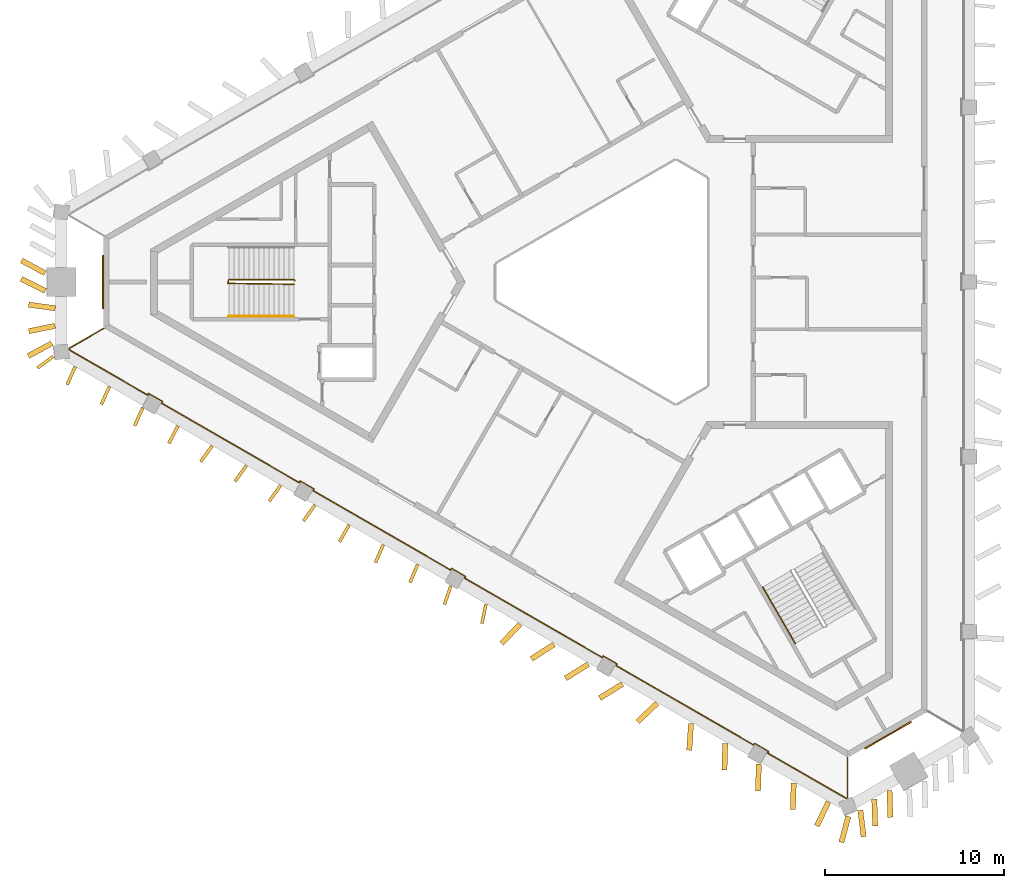
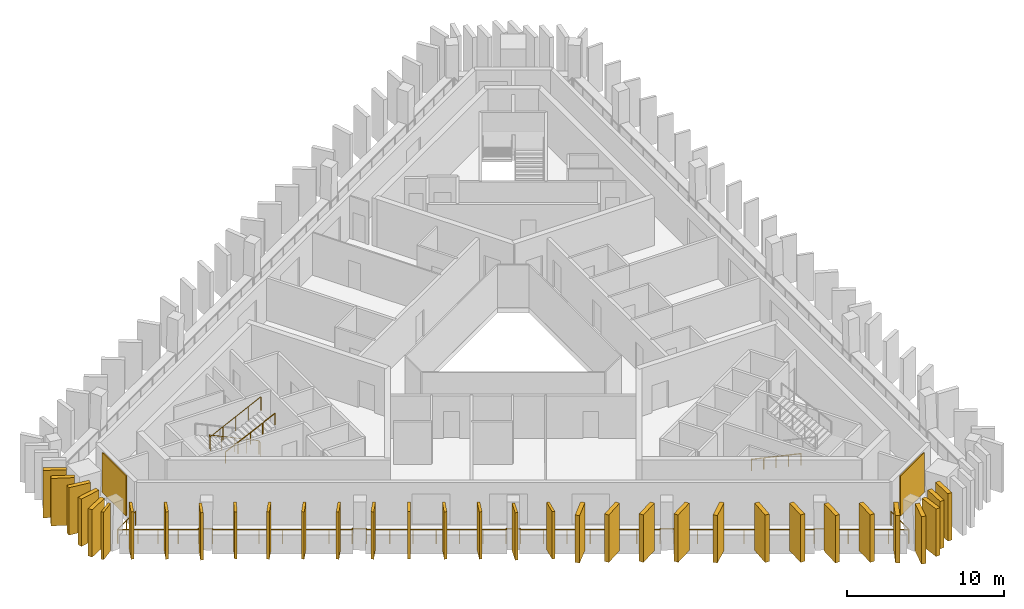
# One storey, part 7 of 9: 33 shading devices, 4 railings, 2 coverings.
"""IFC4 building model written with IfcOpenShell, lengths in metres."""

import ifcopenshell
import ifcopenshell.guid

model = None  # the IFC model being written
_history = None  # IfcOwnerHistory: only IFC2X3 demands one
_inside = {}  # id of a spatial element -> (the spatial element, [elements in it])
_under = {}  # id of a project, library or spatial element -> (it, [spatial elements below it])
_declared = {}  # id of a project -> (the project, [libraries it declares])
_typed = {}  # id of a type object -> (the type object, [elements of that type])
_made_of = {}  # id of a material, layer set ... -> (it, [elements and type objects made of it])


def new_model(schema):
    """Start an empty IFC model of exactly this schema.

    Asked for "IFC4X3", IfcOpenShell would pick the latest addendum, in which some entities
    have other attributes; the version numbers below select the first issue.
    IFC2X3 requires an IfcOwnerHistory on every rooted entity: one is made here for all.
    """
    global model, _history
    if schema == "IFC4X3":
        model = ifcopenshell.file(schema_version=(4, 3, 0, 0))
    else:
        model = ifcopenshell.file(schema=schema)
    _inside.clear()
    _under.clear()
    _declared.clear()
    _typed.clear()
    _made_of.clear()
    _history = None
    if model.schema == "IFC2X3":
        org = make("IfcOrganization", Name="unknown")
        user = make(
            "IfcPersonAndOrganization",
            ThePerson=make("IfcPerson", FamilyName="unknown"),
            TheOrganization=org,
        )
        app = make(
            "IfcApplication",
            ApplicationDeveloper=org,
            Version="unknown",
            ApplicationFullName="unknown",
            ApplicationIdentifier="unknown",
        )
        _history = make(
            "IfcOwnerHistory",
            OwningUser=user,
            OwningApplication=app,
            ChangeAction="ADDED",
            CreationDate=0,
        )
    return model


def make(cls, **values):
    """One entity of the class cls with the attributes given. An attribute that is None is left unset."""
    return model.create_entity(
        cls, **{name: value for name, value in values.items() if value is not None}
    )


def rooted(cls, **values):
    """An entity with a GlobalId (a new one), such as an element, a storey or a relation."""
    return make(cls, GlobalId=ifcopenshell.guid.new(), OwnerHistory=_history, **values)


def si_unit(unit_type, name, prefix=None):
    """IfcSIUnit, for example si_unit("LENGTHUNIT", "METRE", prefix="MILLI")."""
    return make("IfcSIUnit", UnitType=unit_type, Prefix=prefix, Name=name)


def assignment(units):
    """IfcUnitAssignment: the units of a project."""
    return None if units is None else make("IfcUnitAssignment", Units=units)


def point(xyz):
    """IfcCartesianPoint."""
    return None if xyz is None else make("IfcCartesianPoint", Coordinates=xyz)


def direction(xyz):
    """IfcDirection."""
    return None if xyz is None else make("IfcDirection", DirectionRatios=xyz)


def frame(location, z_axis=None, x_axis=None):
    """IfcAxis2Placement3D, a coordinate frame: its origin and axes. An axis left out is left unset."""
    return make(
        "IfcAxis2Placement3D",
        Location=point(location),
        Axis=direction(z_axis),
        RefDirection=direction(x_axis),
    )


def frame_2d(location, x_axis=None):
    """IfcAxis2Placement2D, a coordinate frame in the plane: its origin and x axis."""
    return make(
        "IfcAxis2Placement2D", Location=point(location), RefDirection=direction(x_axis)
    )


def origin():
    """The frame at (0, 0, 0) with its axes left unset."""
    return frame((0.0, 0.0, 0.0))


def origin_2d():
    """The frame at (0, 0) in the plane with its x axis left unset."""
    return frame_2d((0.0, 0.0))


def place(relative_to, where):
    """IfcLocalPlacement: puts the frame where relative to a parent placement (None: the world)."""
    return make(
        "IfcLocalPlacement", PlacementRelTo=relative_to, RelativePlacement=where
    )


def context(
    kind, dimensions, precision=None, world=None, true_north=None, identifier=None
):
    """IfcGeometricRepresentationContext, for example the 3D "Model" context."""
    return make(
        "IfcGeometricRepresentationContext",
        ContextIdentifier=identifier,
        ContextType=kind,
        CoordinateSpaceDimension=dimensions,
        Precision=precision,
        WorldCoordinateSystem=world,
        TrueNorth=true_north,
    )


def subcontext(parent, identifier, kind, view, scale=None):
    """IfcGeometricRepresentationSubContext, for example "Body" below "Model"."""
    return make(
        "IfcGeometricRepresentationSubContext",
        ContextIdentifier=identifier,
        ContextType=kind,
        ParentContext=parent,
        TargetScale=scale,
        TargetView=view,
    )


def project(units=None, contexts=None):
    """IfcProject with its units and contexts."""
    return rooted(
        "IfcProject",
        Name="project",
        RepresentationContexts=contexts,
        UnitsInContext=assignment(units),
    )


def spatial(cls, under=None, at=None, **own):
    """A site, building, storey or space (cls), placed at a placement, below another one or the project."""
    s = rooted(cls, ObjectPlacement=at, **own)
    if under is not None:
        _under.setdefault(under.id(), (under, []))[1].append(s)
    return s


def profile(cls, at=None, kind="AREA", **sizes):
    """A parametric profile (cls). Its sizes go by their IFC names, for example OverallWidth=200.0."""
    return make(cls, ProfileType=kind, Position=at, **sizes)


def rectangle(**sizes):
    """IfcRectangleProfileDef."""
    return profile("IfcRectangleProfileDef", **sizes)


def circle(**sizes):
    """IfcCircleProfileDef."""
    return profile("IfcCircleProfileDef", **sizes)


def extrude(swept, where, along, depth):
    """IfcExtrudedAreaSolid: the profile swept, set in the frame where, extruded along a direction by depth."""
    return make(
        "IfcExtrudedAreaSolid",
        SweptArea=swept,
        Position=where,
        ExtrudedDirection=direction(along),
        Depth=depth,
    )


def shape(context_of_items, identifier, shape_type, items):
    """IfcShapeRepresentation: the items that make up one representation, for example the "Body"."""
    return make(
        "IfcShapeRepresentation",
        ContextOfItems=context_of_items,
        RepresentationIdentifier=identifier,
        RepresentationType=shape_type,
        Items=items,
    )


def material(Name=None, Category=None):
    """IfcMaterial."""
    return make("IfcMaterial", Name=Name, Category=Category)


def layer(
    of_material, thickness, ventilated=None, Name=None, Category=None, Priority=None
):
    """IfcMaterialLayer: one layer of a wall or slab, of a material (None: an air gap)."""
    return make(
        "IfcMaterialLayer",
        Material=of_material,
        LayerThickness=thickness,
        IsVentilated=ventilated,
        Name=Name,
        Category=Category,
        Priority=Priority,
    )


def layer_set(layers, Name=None):
    """IfcMaterialLayerSet."""
    return make("IfcMaterialLayerSet", MaterialLayers=layers, LayerSetName=Name)


def made_of(thing, what):
    """Note that an element or type object is made of a material, layer set ...; save() writes the relation."""
    if what is not None:
        _made_of.setdefault(what.id(), (what, []))[1].append(thing)
    return thing


def type_object(cls, material=None, **own):
    """A type object (cls), such as IfcWallType, which elements share."""
    return made_of(rooted(cls, **own), material)


def element(
    cls,
    number,
    at=None,
    inside=None,
    cuts=None,
    type_object=None,
    material=None,
    context=None,
    identifier="Body",
    shape_type=None,
    held_by="IfcProductDefinitionShape",
    body=None,
    shapes=None,
    **own,
):
    """One element of the class cls, such as IfcWall. Its Tag is "e" and its number.

    at: its placement. inside: the storey or other place that contains it. cuts: it is an
    opening in that element (IfcRelVoidsElement). A single representation is given by context,
    identifier, shape_type and body (its items); several are given by shapes. held_by: the class
    of the entity that holds the representations. save() writes the other relations.
    """
    e = rooted(cls, Tag="e%d" % number, ObjectPlacement=at, **own)
    if body is not None:
        shapes = [shape(context, identifier, shape_type, body)]
    if shapes is not None:
        e.Representation = make(held_by, Representations=shapes)
    if inside is not None:
        _inside.setdefault(inside.id(), (inside, []))[1].append(e)
    if cuts is not None:
        rooted(
            "IfcRelVoidsElement", RelatingBuildingElement=cuts, RelatedOpeningElement=e
        )
    if type_object is not None:
        _typed.setdefault(type_object.id(), (type_object, []))[1].append(e)
    return made_of(e, material)


def aggregate(whole, parts):
    """IfcRelAggregates: a whole, such as a stair, and the parts it consists of."""
    return rooted("IfcRelAggregates", RelatingObject=whole, RelatedObjects=parts)


def save(model, path):
    """Write the relations noted so far, then the file.

    IfcRelAggregates (storeys below a building ...), IfcRelContainedInSpatialStructure (elements
    in a storey), IfcRelDefinesByType, IfcRelAssociatesMaterial and IfcRelDeclares: one each for
    every whole, place, type object, material and project.
    """
    for whole, parts in _under.values():
        aggregate(whole, parts)
    for where, things in _inside.values():
        rooted(
            "IfcRelContainedInSpatialStructure",
            RelatedElements=things,
            RelatingStructure=where,
        )
    for kind, things in _typed.values():
        rooted("IfcRelDefinesByType", RelatedObjects=things, RelatingType=kind)
    for what, things in _made_of.values():
        rooted("IfcRelAssociatesMaterial", RelatedObjects=things, RelatingMaterial=what)
    for by, libraries in _declared.values():
        rooted("IfcRelDeclares", RelatingContext=by, RelatedDefinitions=libraries)
    model.write(path)


model = new_model("IFC4")

# Units and contexts
model_context = context("Model", 3, precision=1e-05, world=origin(), true_north=direction((0.0, 1.0)))
body_context = subcontext(model_context, "Body", "Model", "MODEL_VIEW")
ifc_project = project(units=[si_unit("LENGTHUNIT", "METRE"), si_unit("AREAUNIT", "SQUARE_METRE"), si_unit("VOLUMEUNIT", "CUBIC_METRE"), si_unit("PLANEANGLEUNIT", "RADIAN"), si_unit("MASSUNIT", "GRAM", prefix="KILO")], contexts=[model_context])

# Site, building, storey
site_placement = place(None, origin())
site = spatial("IfcSite", under=ifc_project, at=site_placement, CompositionType="ELEMENT")
building_placement = place(site_placement, origin())
building = spatial("IfcBuilding", under=site, at=building_placement, Name="Jabali Bay Hotel Tower and Convention Centre", CompositionType="ELEMENT")
storey_placement = place(building_placement, frame((0.0, 0.0, 270.10009765625)))
storey = spatial("IfcBuildingStorey", under=building, at=storey_placement, Name="L66", CompositionType="ELEMENT", Elevation=270.10009765625)

# Railing
ifc_material_1 = material(Name="Glass", Category="glass")
railing_type_1 = type_object("IfcRailingType", Name="Loggia glass guard 1100", PredefinedType="BALUSTRADE", material=ifc_material_1)
railing_1_placement = place(storey_placement, frame((87.3603515625, 53.404052734375, 0.0)))
element("IfcRailing", 1, at=railing_1_placement, inside=storey, type_object=railing_type_1, Name="Loggia glass guard L66", PredefinedType="BALUSTRADE", context=body_context, shape_type="SweptSolid", body=[
    extrude(circle(Radius=0.02490234375, at=origin_2d()), frame((0.0, 0.0, 1.0751953125), z_axis=(0.0, -1.0, 0.0), x_axis=(0.991444861374, 0.0, 0.13052619222)), (0.0, 0.0, 1.0), 2.27490234375),
    extrude(circle(Radius=0.02490234375, at=origin_2d()), frame((0.0, -2.27490234375, 1.0751953125), z_axis=(-0.920154635629, -0.391555164097, 0.0), x_axis=(0.388205355389, -0.912282585163, 0.13052619222)), (0.0, 0.0, 1.0), 0.037353515625),
    extrude(circle(Radius=0.02490234375, at=origin_2d()), frame((-0.034423828125, -2.28955078125, 1.0751953125), z_axis=(-0.866028802348, 0.499994113469, 0.0), x_axis=(-0.495716594516, -0.85861980589, 0.13052619222)), (0.0, 0.0, 1.0), 5.1083984375),
    extrude(circle(Radius=0.02490234375, at=origin_2d()), frame((-4.45849609375, 0.2646484375, 1.0751953125), z_axis=(0.500074377092, 0.865982457891, 0.0), x_axis=(-0.858573857916, 0.495796171473, 0.13052619222)), (0.0, 0.0, 1.0), 0.10009765625),
    extrude(circle(Radius=0.02490234375, at=origin_2d()), frame((-4.408447265625, 0.351318359375, 1.0751953125), z_axis=(-0.866013897511, 0.50001992892, 0.0), x_axis=(-0.495742189112, -0.858605028566, 0.13052619222)), (0.0, 0.0, 1.0), 0.89990234375),
    extrude(circle(Radius=0.02490234375, at=origin_2d()), frame((-5.187744140625, 0.80126953125, 1.0751953125), z_axis=(-0.500074377092, -0.865982457891, 0.0), x_axis=(0.858573857916, -0.495796171473, 0.13052619222)), (0.0, 0.0, 1.0), 0.10009765625),
    extrude(circle(Radius=0.02490234375, at=origin_2d()), frame((-5.23779296875, 0.714599609375, 1.0751953125), z_axis=(-0.866029913332, 0.499992189153, 0.0), x_axis=(-0.495714686663, -0.858620907369, 0.13052619222)), (0.0, 0.0, 1.0), 8.879638671875),
    extrude(circle(Radius=0.02490234375, at=origin_2d()), frame((-12.927734375, 5.154296875, 1.0751953125), z_axis=(0.500074377092, 0.865982457891, 0.0), x_axis=(-0.858573857916, 0.495796171473, 0.13052619222)), (0.0, 0.0, 1.0), 0.10009765625),
    extrude(circle(Radius=0.02490234375, at=origin_2d()), frame((-12.877685546875, 5.240966796875, 1.0751953125), z_axis=(-0.866081705922, 0.499902469156, 0.0), x_axis=(-0.495625734232, -0.858672256866, 0.13052619222)), (0.0, 0.0, 1.0), 0.900146484375),
    extrude(circle(Radius=0.02490234375, at=origin_2d()), frame((-13.6572265625, 5.69091796875, 1.0751953125), z_axis=(-0.4982416694, -0.867038199201, 0.0), x_axis=(0.859620567213, -0.493979142849, 0.13052619222)), (0.0, 0.0, 1.0), 0.099853515625),
    extrude(circle(Radius=0.02490234375, at=origin_2d()), frame((-13.70703125, 5.604248046875, 1.0751953125), z_axis=(-0.866018007794, 0.500012810012, 0.0), x_axis=(-0.495735131107, -0.858609103685, 0.13052619222)), (0.0, 0.0, 1.0), 8.879638671875),
    extrude(circle(Radius=0.02490234375, at=origin_2d()), frame((-21.39697265625, 10.044189453125, 1.0751953125), z_axis=(0.501132629342, 0.865370491644, 0.0), x_axis=(-0.857967127125, 0.496845370228, 0.13052619222)), (0.0, 0.0, 1.0), 0.099853515625),
    extrude(circle(Radius=0.02490234375, at=origin_2d()), frame((-21.346923828125, 10.130615234375, 1.0751953125), z_axis=(-0.866081705922, 0.499902469156, 0.0), x_axis=(-0.495625734232, -0.858672256866, 0.13052619222)), (0.0, 0.0, 1.0), 0.900146484375),
    extrude(circle(Radius=0.02490234375, at=origin_2d()), frame((-22.12646484375, 10.58056640625, 1.0751953125), z_axis=(-0.499298623879, -0.866429964967, 0.0), x_axis=(0.859017536507, -0.495027054936, 0.13052619222)), (0.0, 0.0, 1.0), 0.099853515625),
    extrude(circle(Radius=0.02490234375, at=origin_2d()), frame((-22.17626953125, 10.494140625, 1.0751953125), z_axis=(-0.866029913332, 0.499992189153, 0.0), x_axis=(-0.495714686663, -0.858620907369, 0.13052619222)), (0.0, 0.0, 1.0), 8.879638671875),
    extrude(circle(Radius=0.02490234375, at=origin_2d()), frame((-29.8662109375, 14.933837890625, 1.0751953125), z_axis=(0.500074377092, 0.865982457891, 0.0), x_axis=(-0.858573857916, 0.495796171473, 0.13052619222)), (0.0, 0.0, 1.0), 0.10009765625),
    extrude(circle(Radius=0.02490234375, at=origin_2d()), frame((-29.816162109375, 15.0205078125, 1.0751953125), z_axis=(-0.866081705922, 0.499902469156, 0.0), x_axis=(-0.495625734232, -0.858672256866, 0.13052619222)), (0.0, 0.0, 1.0), 0.900146484375),
    extrude(circle(Radius=0.02490234375, at=origin_2d()), frame((-30.595703125, 15.470458984375, 1.0751953125), z_axis=(-0.500074377092, -0.865982457891, 0.0), x_axis=(0.858573857916, -0.495796171473, 0.13052619222)), (0.0, 0.0, 1.0), 0.10009765625),
    extrude(circle(Radius=0.02490234375, at=origin_2d()), frame((-30.645751953125, 15.3837890625, 1.0751953125), z_axis=(-0.866023039612, 0.500004094845, 0.0), x_axis=(-0.4957264905, -0.858614092454, 0.13052619222)), (0.0, 0.0, 1.0), 8.87939453125),
    extrude(circle(Radius=0.02490234375, at=origin_2d()), frame((-38.33544921875, 19.823486328125, 1.0751953125), z_axis=(0.500074377092, 0.865982457891, 0.0), x_axis=(-0.858573857916, 0.495796171473, 0.13052619222)), (0.0, 0.0, 1.0), 0.10009765625),
    extrude(circle(Radius=0.02490234375, at=origin_2d()), frame((-38.285400390625, 19.91015625, 1.0751953125), z_axis=(-0.866081705922, 0.499902469156, 0.0), x_axis=(-0.495625734232, -0.858672256866, 0.13052619222)), (0.0, 0.0, 1.0), 0.900146484375),
    extrude(circle(Radius=0.02490234375, at=origin_2d()), frame((-39.06494140625, 20.360107421875, 1.0751953125), z_axis=(-0.500074377092, -0.865982457891, 0.0), x_axis=(0.858573857916, -0.495796171473, 0.13052619222)), (0.0, 0.0, 1.0), 0.10009765625),
    extrude(circle(Radius=0.02490234375, at=origin_2d()), frame((-39.114990234375, 20.2734375, 1.0751953125), z_axis=(-0.866016854026, 0.500014808323, 0.0), x_axis=(-0.495737112323, -0.858607959787, 0.13052619222)), (0.0, 0.0, 1.0), 5.108154296875),
    extrude(circle(Radius=0.02490234375, at=origin_2d()), frame((-43.538818359375, 22.82763671875, 1.0751953125), z_axis=(-0.124034734589, 0.992277876714, 0.0), x_axis=(-0.983788801923, -0.12297360024, 0.13052619222)), (0.0, 0.0, 1.0), 0.037353515625),
    extrude(circle(Radius=0.02490234375, at=origin_2d()), frame((-43.54345703125, 22.86474609375, 1.0751953125), z_axis=(0.866035472144, 0.499982560684, 0.0), x_axis=(-0.495705140567, 0.858626418625, 0.13052619222)), (0.0, 0.0, 1.0), 2.27490234375),
    extrude(circle(Radius=0.02001953125, at=origin_2d()), origin(), (0.0, 0.0, 1.0), 1.050048828125),
    extrude(circle(Radius=0.02001953125, at=origin_2d()), frame((0.0, -1.137451171875, 0.0)), (0.0, 0.0, 1.0), 1.050048828125),
    extrude(circle(Radius=0.02001953125, at=origin_2d()), frame((0.0, -2.27490234375, 0.0)), (0.0, 0.0, 1.0), 1.050048828125),
    extrude(circle(Radius=0.02001953125, at=origin_2d()), frame((-0.034423828125, -2.28955078125, 0.0)), (0.0, 0.0, 1.0), 1.050048828125),
    extrude(circle(Radius=0.02001953125, at=origin_2d()), frame((-1.140380859375, -1.65087890625, 0.0)), (0.0, 0.0, 1.0), 1.050048828125),
    extrude(circle(Radius=0.02001953125, at=origin_2d()), frame((-2.24658203125, -1.012451171875, 0.0)), (0.0, 0.0, 1.0), 1.050048828125),
    extrude(circle(Radius=0.02001953125, at=origin_2d()), frame((-3.3525390625, -0.3740234375, 0.0)), (0.0, 0.0, 1.0), 1.050048828125),
    extrude(circle(Radius=0.02001953125, at=origin_2d()), frame((-4.45849609375, 0.2646484375, 0.0)), (0.0, 0.0, 1.0), 1.050048828125),
    extrude(circle(Radius=0.02001953125, at=origin_2d()), frame((-4.408447265625, 0.351318359375, 0.0)), (0.0, 0.0, 1.0), 1.050048828125),
    extrude(circle(Radius=0.02001953125, at=origin_2d()), frame((-5.187744140625, 0.80126953125, 0.0)), (0.0, 0.0, 1.0), 1.050048828125),
    extrude(circle(Radius=0.02001953125, at=origin_2d()), frame((-5.23779296875, 0.714599609375, 0.0)), (0.0, 0.0, 1.0), 1.050048828125),
    extrude(circle(Radius=0.02001953125, at=origin_2d()), frame((-6.51953125, 1.45458984375, 0.0)), (0.0, 0.0, 1.0), 1.050048828125),
    extrude(circle(Radius=0.02001953125, at=origin_2d()), frame((-7.801025390625, 2.194580078125, 0.0)), (0.0, 0.0, 1.0), 1.050048828125),
    extrude(circle(Radius=0.02001953125, at=origin_2d()), frame((-9.082763671875, 2.9345703125, 0.0)), (0.0, 0.0, 1.0), 1.050048828125),
    extrude(circle(Radius=0.02001953125, at=origin_2d()), frame((-10.364501953125, 3.67431640625, 0.0)), (0.0, 0.0, 1.0), 1.050048828125),
    extrude(circle(Radius=0.02001953125, at=origin_2d()), frame((-11.64599609375, 4.414306640625, 0.0)), (0.0, 0.0, 1.0), 1.050048828125),
    extrude(circle(Radius=0.02001953125, at=origin_2d()), frame((-12.927734375, 5.154296875, 0.0)), (0.0, 0.0, 1.0), 1.050048828125),
    extrude(circle(Radius=0.02001953125, at=origin_2d()), frame((-12.877685546875, 5.240966796875, 0.0)), (0.0, 0.0, 1.0), 1.050048828125),
    extrude(circle(Radius=0.02001953125, at=origin_2d()), frame((-13.6572265625, 5.69091796875, 0.0)), (0.0, 0.0, 1.0), 1.050048828125),
    extrude(circle(Radius=0.02001953125, at=origin_2d()), frame((-13.70703125, 5.604248046875, 0.0)), (0.0, 0.0, 1.0), 1.050048828125),
    extrude(circle(Radius=0.02001953125, at=origin_2d()), frame((-14.98876953125, 6.34423828125, 0.0)), (0.0, 0.0, 1.0), 1.050048828125),
    extrude(circle(Radius=0.02001953125, at=origin_2d()), frame((-16.270263671875, 7.084228515625, 0.0)), (0.0, 0.0, 1.0), 1.050048828125),
    extrude(circle(Radius=0.02001953125, at=origin_2d()), frame((-17.552001953125, 7.82421875, 0.0)), (0.0, 0.0, 1.0), 1.050048828125),
    extrude(circle(Radius=0.02001953125, at=origin_2d()), frame((-18.833740234375, 8.564208984375, 0.0)), (0.0, 0.0, 1.0), 1.050048828125),
    extrude(circle(Radius=0.02001953125, at=origin_2d()), frame((-20.115234375, 9.30419921875, 0.0)), (0.0, 0.0, 1.0), 1.050048828125),
    extrude(circle(Radius=0.02001953125, at=origin_2d()), frame((-21.39697265625, 10.044189453125, 0.0)), (0.0, 0.0, 1.0), 1.050048828125),
    extrude(circle(Radius=0.02001953125, at=origin_2d()), frame((-21.346923828125, 10.130615234375, 0.0)), (0.0, 0.0, 1.0), 1.050048828125),
    extrude(circle(Radius=0.02001953125, at=origin_2d()), frame((-22.12646484375, 10.58056640625, 0.0)), (0.0, 0.0, 1.0), 1.050048828125),
    extrude(circle(Radius=0.02001953125, at=origin_2d()), frame((-22.17626953125, 10.494140625, 0.0)), (0.0, 0.0, 1.0), 1.050048828125),
    extrude(circle(Radius=0.02001953125, at=origin_2d()), frame((-23.4580078125, 11.234130859375, 0.0)), (0.0, 0.0, 1.0), 1.050048828125),
    extrude(circle(Radius=0.02001953125, at=origin_2d()), frame((-24.739501953125, 11.97412109375, 0.0)), (0.0, 0.0, 1.0), 1.050048828125),
    extrude(circle(Radius=0.02001953125, at=origin_2d()), frame((-26.021240234375, 12.7138671875, 0.0)), (0.0, 0.0, 1.0), 1.050048828125),
    extrude(circle(Radius=0.02001953125, at=origin_2d()), frame((-27.302978515625, 13.453857421875, 0.0)), (0.0, 0.0, 1.0), 1.050048828125),
    extrude(circle(Radius=0.02001953125, at=origin_2d()), frame((-28.58447265625, 14.19384765625, 0.0)), (0.0, 0.0, 1.0), 1.050048828125),
    extrude(circle(Radius=0.02001953125, at=origin_2d()), frame((-29.8662109375, 14.933837890625, 0.0)), (0.0, 0.0, 1.0), 1.050048828125),
    extrude(circle(Radius=0.02001953125, at=origin_2d()), frame((-29.816162109375, 15.0205078125, 0.0)), (0.0, 0.0, 1.0), 1.050048828125),
    extrude(circle(Radius=0.02001953125, at=origin_2d()), frame((-30.595703125, 15.470458984375, 0.0)), (0.0, 0.0, 1.0), 1.050048828125),
    extrude(circle(Radius=0.02001953125, at=origin_2d()), frame((-30.645751953125, 15.3837890625, 0.0)), (0.0, 0.0, 1.0), 1.050048828125),
    extrude(circle(Radius=0.02001953125, at=origin_2d()), frame((-31.92724609375, 16.123779296875, 0.0)), (0.0, 0.0, 1.0), 1.050048828125),
    extrude(circle(Radius=0.02001953125, at=origin_2d()), frame((-33.208984375, 16.86376953125, 0.0)), (0.0, 0.0, 1.0), 1.050048828125),
    extrude(circle(Radius=0.02001953125, at=origin_2d()), frame((-34.49072265625, 17.603515625, 0.0)), (0.0, 0.0, 1.0), 1.050048828125),
    extrude(circle(Radius=0.02001953125, at=origin_2d()), frame((-35.772216796875, 18.343505859375, 0.0)), (0.0, 0.0, 1.0), 1.050048828125),
    extrude(circle(Radius=0.02001953125, at=origin_2d()), frame((-37.0537109375, 19.08349609375, 0.0)), (0.0, 0.0, 1.0), 1.050048828125),
    extrude(circle(Radius=0.02001953125, at=origin_2d()), frame((-38.33544921875, 19.823486328125, 0.0)), (0.0, 0.0, 1.0), 1.050048828125),
    extrude(circle(Radius=0.02001953125, at=origin_2d()), frame((-38.285400390625, 19.91015625, 0.0)), (0.0, 0.0, 1.0), 1.050048828125),
    extrude(circle(Radius=0.02001953125, at=origin_2d()), frame((-39.06494140625, 20.360107421875, 0.0)), (0.0, 0.0, 1.0), 1.050048828125),
    extrude(circle(Radius=0.02001953125, at=origin_2d()), frame((-39.114990234375, 20.2734375, 0.0)), (0.0, 0.0, 1.0), 1.050048828125),
    extrude(circle(Radius=0.02001953125, at=origin_2d()), frame((-40.220947265625, 20.912109375, 0.0)), (0.0, 0.0, 1.0), 1.050048828125),
    extrude(circle(Radius=0.02001953125, at=origin_2d()), frame((-41.326904296875, 21.550537109375, 0.0)), (0.0, 0.0, 1.0), 1.050048828125),
    extrude(circle(Radius=0.02001953125, at=origin_2d()), frame((-42.432861328125, 22.18896484375, 0.0)), (0.0, 0.0, 1.0), 1.050048828125),
    extrude(circle(Radius=0.02001953125, at=origin_2d()), frame((-43.538818359375, 22.82763671875, 0.0)), (0.0, 0.0, 1.0), 1.050048828125),
    extrude(circle(Radius=0.02001953125, at=origin_2d()), frame((-43.54345703125, 22.86474609375, 0.0)), (0.0, 0.0, 1.0), 1.050048828125),
    extrude(circle(Radius=0.02001953125, at=origin_2d()), frame((-42.558349609375, 23.43359375, 0.0)), (0.0, 0.0, 1.0), 1.050048828125),
    extrude(circle(Radius=0.02001953125, at=origin_2d()), frame((-41.5732421875, 24.002197265625, 0.0)), (0.0, 0.0, 1.0), 1.050048828125),
])

# Shading devices
ifc_material_2 = material(Name="Precast concrete C60", Category="concrete")
ifc_layer_1 = layer(ifc_material_2, 0.179931640625)
ifc_layer_set_1 = layer_set([ifc_layer_1], Name="Precast concrete C60")
shading_device_type_1 = type_object("IfcShadingDeviceType", Name="Precast fin 3680 x 1100", PredefinedType="USERDEFINED", material=ifc_layer_set_1)
for number, where, z_axis, x_axis, name in (
    (2, (44.193359375, 75.2646484375, 0.010009765625), (0.0, 0.0, 1.0), (-0.408176242739, -0.912903146486, 0.0), "Fin L66 062"),
    (3, (46.107421875, 74.15966796875, 0.010009765625), (0.0, 0.0, 1.0), (-0.41062307398, -0.911805182654, 0.0), "Fin L66 063"),
    (4, (47.9677734375, 72.961669921875, 0.010009765625), (0.0, 0.0, 1.0), (-0.411527248912, -0.911397456329, 0.0), "Fin L66 064"),
    (5, (49.93798828125, 71.953857421875, 0.010009765625), (0.0, 0.0, 1.0), (-0.460569821823, -0.887623478298, 0.0), "Fin L66 065"),
):
    element("IfcShadingDevice", number, at=place(storey_placement, frame(where, z_axis=z_axis, x_axis=x_axis)), inside=storey, type_object=shading_device_type_1, Name=name, ObjectType="FIN", PredefinedType="USERDEFINED", context=body_context, shape_type="SweptSolid", body=[
        extrude(rectangle(XDim=1.099853515625, YDim=0.179931640625, at=frame_2d((0.5498046875, 0.0))), origin(), (0.0, 0.0, 1.0), 3.679931640625),
    ])
for number, where, z_axis, x_axis, name in (
    (6, (51.849609375, 70.8447265625, 0.010009765625), (0.0, 0.0, 1.0), (-0.583251843698, -0.812291380493, 0.0), "Fin L66 066"),
    (7, (53.763671875, 69.739501953125, 0.010009765625), (0.0, 0.0, 1.0), (-0.583251843698, -0.812291380493, 0.0), "Fin L66 067"),
    (8, (55.677734375, 68.634521484375, 0.010009765625), (0.0, 0.0, 1.0), (-0.583503414165, -0.812110685595, 0.0), "Fin L66 068"),
    (9, (57.591796875, 67.529296875, 0.010009765625), (0.0, 0.0, 1.0), (-0.584152700173, -0.811643778317, 0.0), "Fin L66 069"),
):
    element("IfcShadingDevice", number, at=place(storey_placement, frame(where, z_axis=z_axis, x_axis=x_axis)), inside=storey, type_object=shading_device_type_1, Name=name, ObjectType="FIN", PredefinedType="USERDEFINED", context=body_context, shape_type="SweptSolid", body=[
        extrude(rectangle(XDim=1.10009765625, YDim=0.179931640625, at=frame_2d((0.550048828125, 0.0))), origin(), (0.0, 0.0, 1.0), 3.679931640625),
    ])
shading_device_1_placement = place(storey_placement, frame((59.510009765625, 66.431640625, 0.010009765625), z_axis=(0.0, 0.0, 1.0), x_axis=(-0.495899865832, -0.868379711341, 0.0)))
element("IfcShadingDevice", 10, at=shading_device_1_placement, inside=storey, type_object=shading_device_type_1, Name="Fin L66 070", ObjectType="FIN", PredefinedType="USERDEFINED", context=body_context, shape_type="SweptSolid", body=[
    extrude(rectangle(XDim=1.099853515625, YDim=0.179931640625, at=frame_2d((0.5498046875, 0.0))), origin(), (0.0, 0.0, 1.0), 3.679931640625),
])
for number, where, z_axis, x_axis, name in (
    (11, (61.41943359375, 65.318603515625, 0.010009765625), (0.0, 0.0, 1.0), (-0.403727634838, -0.91487922529, 0.0), "Fin L66 071"),
    (12, (63.332763671875, 64.2119140625, 0.010009765625), (0.0, 0.0, 1.0), (-0.385734001459, -0.922610036862, 0.0), "Fin L66 072"),
    (13, (65.190185546875, 63.009033203125, 0.010009765625), (0.0, 0.0, 1.0), (-0.327590767152, -0.944819712578, 0.0), "Fin L66 073"),
):
    element("IfcShadingDevice", number, at=place(storey_placement, frame(where, z_axis=z_axis, x_axis=x_axis)), inside=storey, type_object=shading_device_type_1, Name=name, ObjectType="FIN", PredefinedType="USERDEFINED", context=body_context, shape_type="SweptSolid", body=[
        extrude(rectangle(XDim=1.10009765625, YDim=0.179931640625, at=frame_2d((0.550048828125, 0.0))), origin(), (0.0, 0.0, 1.0), 3.679931640625),
    ])
shading_device_2_placement = place(storey_placement, frame((67.15234375, 61.9873046875, 0.010009765625), z_axis=(0.0, 0.0, 1.0), x_axis=(-0.202642300655, -0.979252826386, 0.0)))
element("IfcShadingDevice", 14, at=shading_device_2_placement, inside=storey, type_object=shading_device_type_1, Name="Fin L66 074", ObjectType="FIN", PredefinedType="USERDEFINED", context=body_context, shape_type="SweptSolid", body=[
    extrude(rectangle(XDim=1.099853515625, YDim=0.179931640625, at=frame_2d((0.5498046875, 0.0))), origin(), (0.0, 0.0, 1.0), 3.679931640625),
])
shading_device_3_placement = place(storey_placement, frame((42.97021484375, 75.837646484375, 0.010009765625), z_axis=(0.0, 0.0, 1.0), x_axis=(-0.80828477998, -0.588791741155, 0.0)))
element("IfcShadingDevice", 15, at=shading_device_3_placement, inside=storey, type_object=shading_device_type_1, Name="Fin L66 097", ObjectType="FIN", PredefinedType="USERDEFINED", context=body_context, shape_type="SweptSolid", body=[
    extrude(rectangle(XDim=1.10009765625, YDim=0.179931640625, at=frame_2d((0.550048828125, 0.0))), origin(), (0.0, 0.0, 1.0), 3.679931640625),
])
ifc_layer_2 = layer(ifc_material_2, 0.300048828125)
ifc_layer_set_2 = layer_set([ifc_layer_2], Name="Precast concrete C60")
shading_device_type_2 = type_object("IfcShadingDeviceType", Name="Precast fin 3680 x 1500", PredefinedType="USERDEFINED", material=ifc_layer_set_2)
for number, where, z_axis, x_axis, name in (
    (16, (42.5166015625, 80.490234375, 0.010009765625), (0.0, 0.0, 1.0), (-0.881061009287, 0.473002640493, 0.0), "Fin L66 057"),
    (17, (42.521484375, 79.509765625, 0.010009765625), (0.0, 0.0, 1.0), (-0.897562235754, 0.440887778179, 0.0), "Fin L66 058"),
    (18, (43.080078125, 78.529296875, 0.010009765625), (0.0, 0.0, 1.0), (-0.99089936857, 0.134604759824, 0.0), "Fin L66 059"),
    (19, (43.070068359375, 77.549072265625, 0.010009765625), (0.0, 0.0, 1.0), (-0.979321618222, -0.202309584752, 0.0), "Fin L66 060"),
    (20, (42.889404296875, 76.568603515625, 0.010009765625), (0.0, 0.0, 1.0), (-0.881061009287, -0.473002640493, 0.0), "Fin L66 061"),
    (21, (69.063232421875, 60.87646484375, 0.010009765625), (0.0, 0.0, 1.0), (-0.687974849475, -0.725734528936, 0.0), "Fin L66 075"),
    (22, (70.9599609375, 59.74169921875, 0.010009765625), (0.0, 0.0, 1.0), (-0.842977176791, -0.53794932792, 0.0), "Fin L66 076"),
):
    element("IfcShadingDevice", number, at=place(storey_placement, frame(where, z_axis=z_axis, x_axis=x_axis)), inside=storey, type_object=shading_device_type_2, Name=name, ObjectType="FIN", PredefinedType="USERDEFINED", context=body_context, shape_type="SweptSolid", body=[
        extrude(rectangle(XDim=1.5, YDim=0.300048828125, at=frame_2d((0.75, 0.0))), origin(), (0.0, 0.0, 1.0), 3.679931640625),
    ])
shading_device_4_placement = place(storey_placement, frame((72.873291015625, 58.63525390625, 0.010009765625), z_axis=(0.0, 0.0, 1.0), x_axis=(-0.848710821404, -0.528857203441, 0.0)))
element("IfcShadingDevice", 23, at=shading_device_4_placement, inside=storey, type_object=shading_device_type_2, Name="Fin L66 077", ObjectType="FIN", PredefinedType="USERDEFINED", context=body_context, shape_type="SweptSolid", body=[
    extrude(rectangle(XDim=1.499755859375, YDim=0.300048828125, at=frame_2d((0.75, 0.0))), origin(), (0.0, 0.0, 1.0), 3.679931640625),
])
shading_device_5_placement = place(storey_placement, frame((74.787353515625, 57.530029296875, 0.010009765625), z_axis=(0.0, 0.0, 1.0), x_axis=(-0.849876451402, -0.52698198959, 0.0)))
element("IfcShadingDevice", 24, at=shading_device_5_placement, inside=storey, type_object=shading_device_type_2, Name="Fin L66 078", ObjectType="FIN", PredefinedType="USERDEFINED", context=body_context, shape_type="SweptSolid", body=[
    extrude(rectangle(XDim=1.5, YDim=0.300048828125, at=frame_2d((0.75, 0.0))), origin(), (0.0, 0.0, 1.0), 3.679931640625),
])
shading_device_6_placement = place(storey_placement, frame((76.715576171875, 56.449462890625, 0.010009765625), z_axis=(0.0, 0.0, 1.0), x_axis=(-0.725178190092, -0.688561248267, 0.0)))
element("IfcShadingDevice", 25, at=shading_device_6_placement, inside=storey, type_object=shading_device_type_2, Name="Fin L66 079", ObjectType="FIN", PredefinedType="USERDEFINED", context=body_context, shape_type="SweptSolid", body=[
    extrude(rectangle(XDim=1.500244140625, YDim=0.300048828125, at=frame_2d((0.75, 0.0))), origin(), (0.0, 0.0, 1.0), 3.679931640625),
])
shading_device_7_placement = place(storey_placement, frame((78.61767578125, 55.32373046875, 0.010009765625), z_axis=(0.0, 0.0, 1.0), x_axis=(-0.065762717287, -0.997835289522, 0.0)))
element("IfcShadingDevice", 26, at=shading_device_7_placement, inside=storey, type_object=shading_device_type_2, Name="Fin L66 080", ObjectType="FIN", PredefinedType="USERDEFINED", context=body_context, shape_type="SweptSolid", body=[
    extrude(rectangle(XDim=1.499755859375, YDim=0.300048828125, at=frame_2d((0.75, 0.0))), origin(), (0.0, 0.0, 1.0), 3.679931640625),
])
shading_device_8_placement = place(storey_placement, frame((80.529541015625, 54.21484375, 0.010009765625), z_axis=(0.0, 0.0, 1.0), x_axis=(-0.03091975827, -0.99952186997, 0.0)))
element("IfcShadingDevice", 27, at=shading_device_8_placement, inside=storey, type_object=shading_device_type_2, Name="Fin L66 081", ObjectType="FIN", PredefinedType="USERDEFINED", context=body_context, shape_type="SweptSolid", body=[
    extrude(rectangle(XDim=1.500244140625, YDim=0.300048828125, at=frame_2d((0.75, 0.0))), origin(), (0.0, 0.0, 1.0), 3.679931640625),
])
for number, where, z_axis, x_axis, name in (
    (28, (82.4072265625, 53.046875, 0.010009765625), (0.0, 0.0, 1.0), (-0.030924788426, -0.999521714352, 0.0), "Fin L66 082"),
    (29, (84.357421875, 52.004638671875, 0.010009765625), (0.0, 0.0, 1.0), (-0.030762180813, -0.999526732125, 0.0), "Fin L66 083"),
    (30, (86.30126953125, 50.950927734375, 0.010009765625), (0.0, 0.0, 1.0), (-0.431979529272, -0.901883410586, 0.0), "Fin L66 084"),
    (31, (88.081787109375, 50.478759765625, 0.010009765625), (0.0, 0.0, 1.0), (0.122231665999, -0.992501596889, 0.0), "Fin L66 085"),
    (32, (88.86279296875, 51.087158203125, 0.010009765625), (0.0, 0.0, 1.0), (0.030924788426, -0.999521714352, 0.0), "Fin L66 086"),
    (33, (89.711669921875, 51.577392578125, 0.010009765625), (0.0, 0.0, 1.0), (0.030924788426, -0.999521714352, 0.0), "Fin L66 087"),
    (34, (87.410400390625, 50.127685546875, 0.010009765625), (0.0, 0.0, 1.0), (-0.258128598141, -0.966110566561, 0.0), "Fin L66 098"),
):
    element("IfcShadingDevice", number, at=place(storey_placement, frame(where, z_axis=z_axis, x_axis=x_axis)), inside=storey, type_object=shading_device_type_2, Name=name, ObjectType="FIN", PredefinedType="USERDEFINED", context=body_context, shape_type="SweptSolid", body=[
        extrude(rectangle(XDim=1.5, YDim=0.300048828125, at=frame_2d((0.75, 0.0))), origin(), (0.0, 0.0, 1.0), 3.679931640625),
    ])

# Coverings
ifc_material_3 = material(Name="Precast concrete C40/50", Category="concrete")
ifc_layer_3 = layer(ifc_material_3, 0.080078125)
ifc_layer_set_3 = layer_set([ifc_layer_3], Name="Precast concrete C40/50")
covering_type = type_object("IfcCoveringType", Name="Relief panel 3000 x 3100", PredefinedType="CLADDING", material=ifc_layer_set_3)
for number, where, z_axis, x_axis, name in (
    (35, (45.7470703125, 80.0, 0.099853515625), (0.0, 0.0, 1.0), (0.0, 1.0, 0.0), "Relief panel L66"),
    (36, (89.62646484375, 54.666259765625, 0.099853515625), (0.0, 0.0, 1.0), (-0.866025484838, -0.499999859612, 0.0), "Relief panel L66"),
):
    element("IfcCovering", number, at=place(storey_placement, frame(where, z_axis=z_axis, x_axis=x_axis)), inside=storey, type_object=covering_type, Name=name, PredefinedType="CLADDING", context=body_context, shape_type="SweptSolid", body=[
        extrude(rectangle(XDim=3.0, YDim=0.080078125, at=origin_2d()), origin(), (0.0, 0.0, 1.0), 3.10009765625),
    ])

# Railings
ifc_material_4 = material(Name="Steel Q355B", Category="steel")
railing_type_2 = type_object("IfcRailingType", Name="Stair guard 1100", PredefinedType="GUARDRAIL", material=ifc_material_4)
railing_2_placement = place(storey_placement, frame((56.469970703125, 80.074951171875, 0.0)))
element("IfcRailing", 37, at=railing_2_placement, inside=storey, type_object=railing_type_2, Name="L66 ST1 stair guard 1", PredefinedType="GUARDRAIL", context=body_context, shape_type="SweptSolid", body=[
    extrude(circle(Radius=0.02392578125, at=origin_2d()), frame((0.0, 0.0, 1.076171875), z_axis=(-0.333993628408, 0.333993628408, 0.881417331555), x_axis=(-0.707106781187, -0.707106781187, 0.0)), (0.0, 0.0, 1.0), 0.14990234375),
    extrude(circle(Radius=0.02392578125, at=origin_2d()), frame((-0.050048828125, 0.050048828125, 1.2080078125), z_axis=(-0.904350763662, 0.0, 0.426789990819), x_axis=(0.0, -1.0, 0.0)), (0.0, 0.0, 1.0), 4.02490234375),
    extrude(circle(Radius=0.02392578125, at=origin_2d()), frame((-3.68994140625, 0.050048828125, 2.92578125), z_axis=(-0.242814311512, -0.970072785993, 0.0), x_axis=(0.970072785993, -0.242814311512, 0.0)), (0.0, 0.0, 1.0), 0.2060546875),
    extrude(circle(Radius=0.02392578125, at=origin_2d()), frame((-3.739990234375, -0.14990234375, 2.92578125), z_axis=(0.893864111827, -0.012124000458, 0.448174026692), x_axis=(0.013562335953, 0.999908027292, 0.0)), (0.0, 0.0, 1.0), 4.128173828125),
    extrude(circle(Radius=0.02099609375, at=origin_2d()), origin(), (0.0, 0.0, 1.0), 1.052001953125),
    extrude(circle(Radius=0.02099609375, at=origin_2d()), frame((-0.050048828125, 0.050048828125, 0.132080078125)), (0.0, 0.0, 1.0), 1.052001953125),
    extrude(circle(Radius=0.02099609375, at=origin_2d()), frame((-0.9599609375, 0.050048828125, 0.5615234375)), (0.0, 0.0, 1.0), 1.052001953125),
    extrude(circle(Radius=0.02099609375, at=origin_2d()), frame((-1.8701171875, 0.050048828125, 0.990966796875)), (0.0, 0.0, 1.0), 1.052001953125),
    extrude(circle(Radius=0.02099609375, at=origin_2d()), frame((-2.780029296875, 0.050048828125, 1.42041015625)), (0.0, 0.0, 1.0), 1.052001953125),
    extrude(circle(Radius=0.02099609375, at=origin_2d()), frame((-3.68994140625, 0.050048828125, 1.849853515625)), (0.0, 0.0, 1.0), 1.052001953125),
    extrude(circle(Radius=0.02099609375, at=origin_2d()), frame((-3.739990234375, -0.14990234375, 1.849853515625)), (0.0, 0.0, 1.0), 1.052001953125),
    extrude(circle(Radius=0.02099609375, at=origin_2d()), frame((-2.8173828125, -0.162353515625, 2.3125)), (0.0, 0.0, 1.0), 1.052001953125),
    extrude(circle(Radius=0.02099609375, at=origin_2d()), frame((-1.89501953125, -0.1748046875, 2.77490234375)), (0.0, 0.0, 1.0), 1.052001953125),
    extrude(circle(Radius=0.02099609375, at=origin_2d()), frame((-0.97265625, -0.1875, 3.2373046875)), (0.0, 0.0, 1.0), 1.052001953125),
    extrude(circle(Radius=0.02099609375, at=origin_2d()), frame((-0.050048828125, -0.199951171875, 3.699951171875)), (0.0, 0.0, 1.0), 1.052001953125),
])
railing_type_3 = type_object("IfcRailingType", Name="Stair handrail 900", PredefinedType="HANDRAIL", material=ifc_material_4)
railing_3_placement = place(storey_placement, frame((52.780029296875, 78.074951171875, 1.98193359375)))
element("IfcRailing", 38, at=railing_3_placement, inside=storey, type_object=railing_type_3, Name="L66 ST1 stair handrail 2", PredefinedType="HANDRAIL", context=body_context, shape_type="SweptSolid", body=[
    extrude(circle(Radius=0.02392578125, at=origin_2d()), frame((0.0, 0.0, 0.8759765625), z_axis=(0.904327350853, 0.0, 0.426839598092), x_axis=(0.0, 1.0, 0.0)), (0.0, 0.0, 1.0), 4.02490234375),
    extrude(circle(Radius=0.02099609375, at=origin_2d()), origin(), (0.0, 0.0, 1.0), 0.851806640625),
    extrude(circle(Radius=0.02099609375, at=origin_2d()), frame((0.909912109375, 0.0, 0.429443359375)), (0.0, 0.0, 1.0), 0.851806640625),
    extrude(circle(Radius=0.02099609375, at=origin_2d()), frame((1.81982421875, 0.0, 0.85888671875)), (0.0, 0.0, 1.0), 0.851806640625),
    extrude(circle(Radius=0.02099609375, at=origin_2d()), frame((2.72998046875, 0.0, 1.28857421875)), (0.0, 0.0, 1.0), 0.851806640625),
    extrude(circle(Radius=0.02099609375, at=origin_2d()), frame((3.639892578125, 0.0, 1.718017578125)), (0.0, 0.0, 1.0), 0.851806640625),
])
railing_4_placement = place(storey_placement, frame((82.622802734375, 62.94677734375, 0.132080078125)))
element("IfcRailing", 39, at=railing_4_placement, inside=storey, type_object=railing_type_3, Name="L66 ST3 stair handrail 1", PredefinedType="HANDRAIL", context=body_context, shape_type="SweptSolid", body=[
    extrude(circle(Radius=0.02392578125, at=origin_2d()), frame((0.0, 0.0, 0.8759765625), z_axis=(0.452190331055, -0.783190014029, 0.426775475427), x_axis=(0.866018046521, 0.500012742938, 0.0)), (0.0, 0.0, 1.0), 4.02490234375),
    extrude(circle(Radius=0.02099609375, at=origin_2d()), origin(), (0.0, 0.0, 1.0), 0.851806640625),
    extrude(circle(Radius=0.02099609375, at=origin_2d()), frame((0.455078125, -0.7880859375, 0.429443359375)), (0.0, 0.0, 1.0), 0.851806640625),
    extrude(circle(Radius=0.02099609375, at=origin_2d()), frame((0.91015625, -1.576171875, 0.85888671875)), (0.0, 0.0, 1.0), 0.851806640625),
    extrude(circle(Radius=0.02099609375, at=origin_2d()), frame((1.364990234375, -2.3642578125, 1.288330078125)), (0.0, 0.0, 1.0), 0.851806640625),
    extrude(circle(Radius=0.02099609375, at=origin_2d()), frame((1.820068359375, -3.15234375, 1.7177734375)), (0.0, 0.0, 1.0), 0.851806640625),
])

save(model, "model.ifc")
